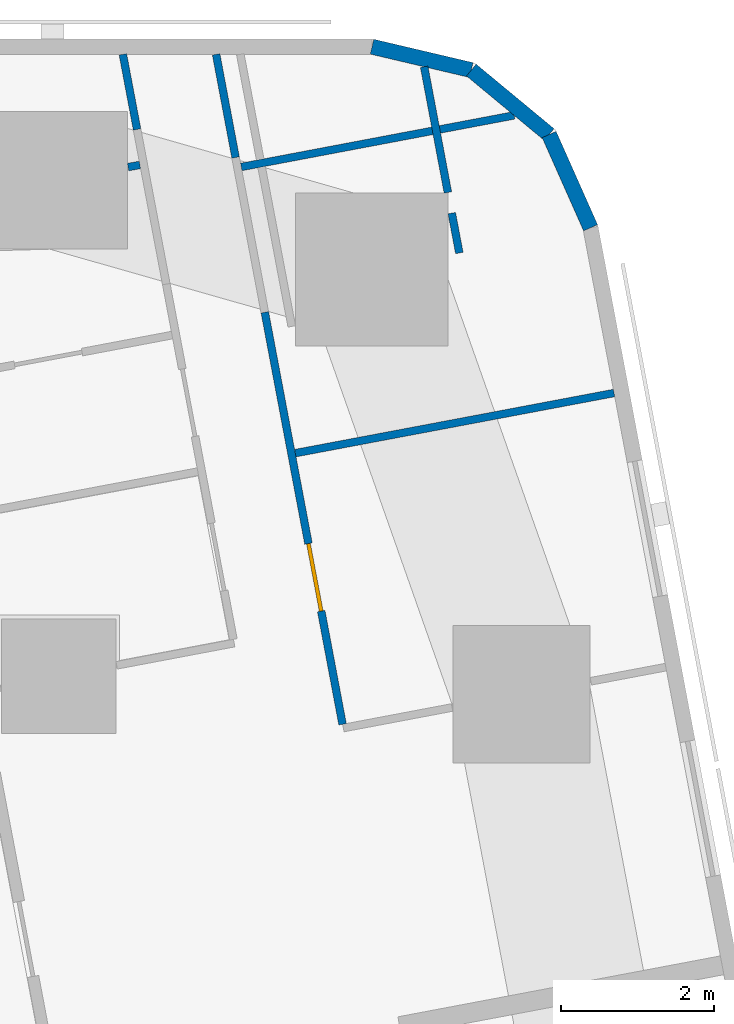
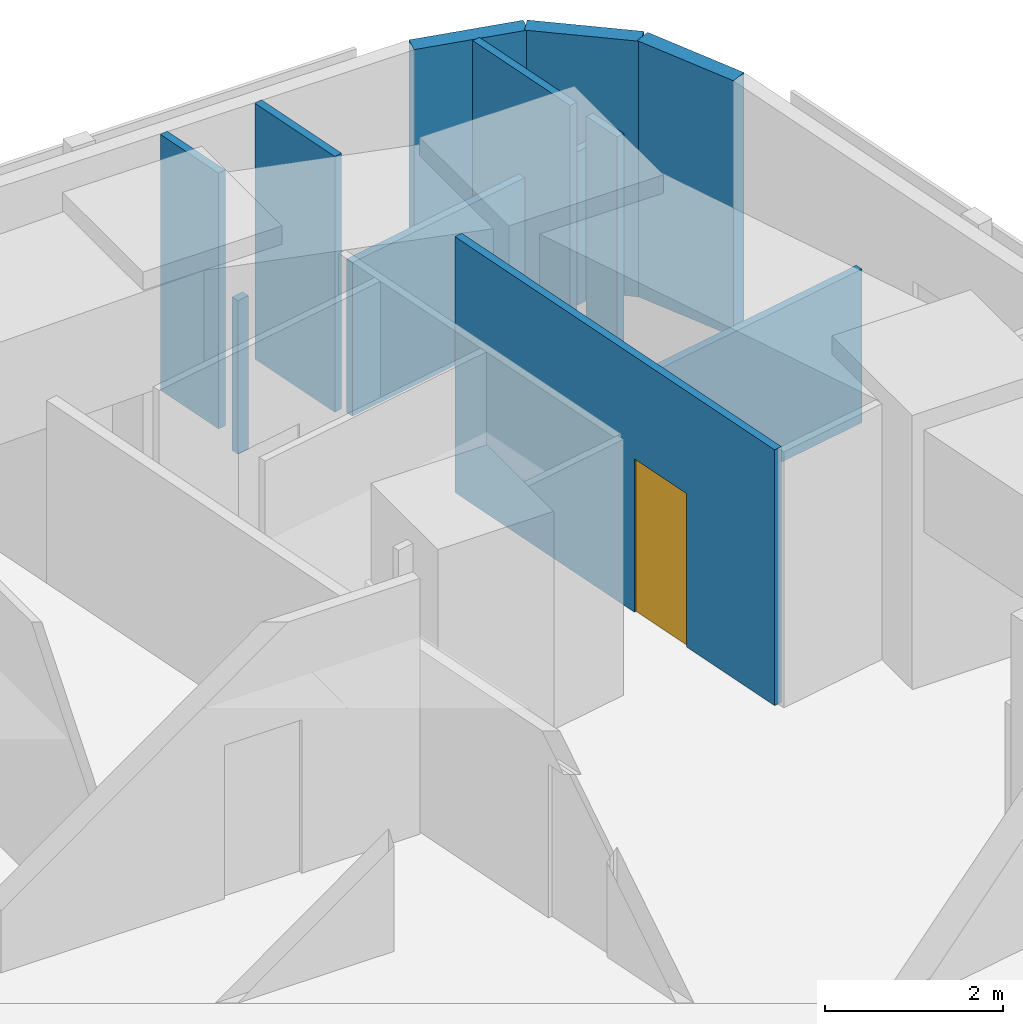
# One storey, part 11 of 15: 11 walls, 1 door, 1 opening.
"""IFC4 building model written with IfcOpenShell, lengths in metres."""

from ifc_helpers import new_model, si_unit, direction, frame, frame_2d, origin, place, context, subcontext, project, spatial, rectangle, extrude, material, layer, layer_set, type_object, element, fill, save


model = new_model("IFC4")

# Units and contexts
model_context = context("Model", 3, precision=1e-05, world=origin(), true_north=direction((0.0, 1.0)))
body_context = subcontext(model_context, "Body", "Model", "MODEL_VIEW")
ifc_project = project(units=[si_unit("LENGTHUNIT", "METRE"), si_unit("AREAUNIT", "SQUARE_METRE"), si_unit("VOLUMEUNIT", "CUBIC_METRE"), si_unit("PLANEANGLEUNIT", "RADIAN"), si_unit("MASSUNIT", "GRAM", prefix="KILO")], contexts=[model_context])

# Site, building, storey
site_placement = place(None, origin())
site = spatial("IfcSite", under=ifc_project, at=site_placement, CompositionType="ELEMENT")
building_placement = place(site_placement, origin())
building = spatial("IfcBuilding", under=site, at=building_placement, Name="Sheger Commons Tower", CompositionType="ELEMENT")
storey_placement = place(building_placement, frame((0.0, 0.0, 173.300048828125)))
storey = spatial("IfcBuildingStorey", under=building, at=storey_placement, Name="L44", CompositionType="ELEMENT", Elevation=173.300048828125)

# Walls
ifc_material_1 = material(Name="Rendered concrete block masonry, dark grey", Category="masonry")
ifc_layer_1 = layer(ifc_material_1, 0.199951171875)
ifc_layer_set_1 = layer_set([ifc_layer_1], Name="FACADE WALL 200")
wall_type_1 = type_object("IfcWallType", Name="FACADE WALL 200", PredefinedType="SOLIDWALL", material=ifc_layer_set_1)
wall_1_placement = place(storey_placement, frame((42.969970703125, 43.376953125, 0.0), z_axis=(0.0, 0.0, 1.0), x_axis=(-0.406002956633, 0.913871762998, 0.0)))
element("IfcWall", 1, at=wall_1_placement, inside=storey, type_object=wall_type_1, Name="Facade wall L44", PredefinedType="SOLIDWALL", context=body_context, shape_type="SweptSolid", body=[
    extrude(rectangle(XDim=1.33740234375, YDim=0.199951171875, at=frame_2d((0.668701171875, 0.0))), origin(), (0.0, 0.0, 1.0), 3.5),
])
wall_2_placement = place(storey_placement, frame((42.427001953125, 44.59912109375, 0.0), z_axis=(0.0, 0.0, 1.0), x_axis=(-0.770091412544, 0.637933551655, 0.0)))
element("IfcWall", 2, at=wall_2_placement, inside=storey, type_object=wall_type_1, Name="Facade wall L44", PredefinedType="SOLIDWALL", context=body_context, shape_type="SweptSolid", body=[
    extrude(rectangle(XDim=1.324462890625, YDim=0.199951171875, at=frame_2d((0.662109375, 0.0))), origin(), (0.0, 0.0, 1.0), 3.5),
])
wall_3_placement = place(storey_placement, frame((41.406982421875, 45.444091796875, 0.0), z_axis=(0.0, 0.0, 1.0), x_axis=(-0.973453091607, 0.228886606077, 0.0)))
element("IfcWall", 3, at=wall_3_placement, inside=storey, type_object=wall_type_1, Name="Facade wall L44", PredefinedType="SOLIDWALL", context=body_context, shape_type="SweptSolid", body=[
    extrude(rectangle(XDim=1.33642578125, YDim=0.199951171875, at=frame_2d((0.668212890625, 0.0))), origin(), (0.0, 0.0, 1.0), 3.5),
])
ifc_material_2 = material(Name="Gypsum board on steel studs", Category="steel")
ifc_layer_2 = layer(ifc_material_2, 0.10009765625)
ifc_layer_set_2 = layer_set([ifc_layer_2], Name="PARTITION 100")
wall_type_2 = type_object("IfcWallType", Name="PARTITION 100", PredefinedType="PARTITIONING", material=ifc_layer_set_2)
wall_4_placement = place(storey_placement, frame((40.7890625, 45.487060546875, 0.0), z_axis=(0.0, 0.0, 1.0), x_axis=(0.185572395193, -0.982630594955, 0.0)))
element("IfcWall", 4, at=wall_4_placement, inside=storey, type_object=wall_type_2, Name="Partition L44", PredefinedType="PARTITIONING", context=body_context, shape_type="SweptSolid", body=[
    extrude(rectangle(XDim=1.676025390625, YDim=0.10009765625, at=frame_2d((0.837890625, 0.0))), origin(), (0.0, 0.0, 1.0), 3.5),
])
wall_5_placement = place(storey_placement, frame((41.15087890625, 43.569091796875, 0.0), z_axis=(0.0, 0.0, 1.0), x_axis=(0.186563073924, -0.982442985342, 0.0)))
element("IfcWall", 5, at=wall_5_placement, inside=storey, type_object=wall_type_2, Name="Partition L44", PredefinedType="PARTITIONING", context=body_context, shape_type="SweptSolid", body=[
    extrude(rectangle(XDim=0.53125, YDim=0.10009765625, at=frame_2d((0.265625, 0.0))), origin(), (0.0, 0.0, 1.0), 3.5),
])
wall_6_placement = place(storey_placement, frame((38.06298828125, 45.64990234375, 0.0), z_axis=(0.0, 0.0, 1.0), x_axis=(0.185456359766, -0.982652501458, 0.0)))
element("IfcWall", 6, at=wall_6_placement, inside=storey, type_object=wall_type_2, Name="Partition L44", PredefinedType="PARTITIONING", context=body_context, shape_type="SweptSolid", body=[
    extrude(rectangle(XDim=1.375732421875, YDim=0.10009765625, at=frame_2d((0.68798828125, 0.0))), origin(), (0.0, 0.0, 1.0), 3.5),
])

# Wall, opening, door
wall_7_placement = place(storey_placement, frame((38.700927734375, 42.27001953125, 0.0), z_axis=(0.0, 0.0, 1.0), x_axis=(0.185474244877, -0.982649125826, 0.0)))
wall_7 = element("IfcWall", 7, at=wall_7_placement, inside=storey, type_object=wall_type_2, Name="Partition L44", PredefinedType="PARTITIONING", context=body_context, shape_type="SweptSolid", body=[
    extrude(rectangle(XDim=5.494140625, YDim=0.10009765625, at=frame_2d((2.7470703125, 0.0))), origin(), (0.0, 0.0, 1.0), 3.5),
])
opening_placement = place(wall_7_placement, frame((3.0849609375, 0.0, 0.0)))
opening = element("IfcOpeningElement", 8, at=opening_placement, cuts=wall_7, Name="Opening D2", PredefinedType="OPENING", context=body_context, shape_type="SweptSolid", body=[
    extrude(rectangle(XDim=0.89990234375, YDim=2.10009765625, at=frame_2d((0.449951171875, 1.050048828125))), frame((0.0, 0.06005859375, 0.0), z_axis=(0.0, -1.0, 0.0), x_axis=(1.0, 0.0, 0.0)), (0.0, 0.0, 1.0), 0.1201171875),
])
ifc_material_3 = material(Name="Timber door set", Category="wood")
door_type = type_object("IfcDoorType", Name="INTERNAL DOOR 900x2100", OperationType="NOTDEFINED", PredefinedType="DOOR", material=ifc_material_3)
door_placement = place(opening_placement, origin())
door = element("IfcDoor", 9, at=door_placement, inside=storey, type_object=door_type, Name="Main bedroom door", OperationType="SINGLE_SWING_LEFT", OverallHeight=2.10009765625, OverallWidth=0.89990234375, PredefinedType="DOOR", context=body_context, shape_type="SweptSolid", body=[
    extrude(rectangle(XDim=0.89990234375, YDim=2.10009765625, at=frame_2d((0.449951171875, 1.050048828125))), frame((0.0, 0.02490234375, 0.0), z_axis=(0.0, -1.0, 0.0), x_axis=(1.0, 0.0, 0.0)), (0.0, 0.0, 1.0), 0.050048828125),
])
fill(opening, door)

# Walls
wall_8_placement = place(storey_placement, frame((36.841064453125, 45.64990234375, 0.0), z_axis=(0.0, 0.0, 1.0), x_axis=(0.185789875365, -0.982589498322, 0.0)))
element("IfcWall", 10, at=wall_8_placement, inside=storey, type_object=wall_type_2, Name="Partition L44", PredefinedType="PARTITIONING", context=body_context, shape_type="SweptSolid", body=[
    extrude(rectangle(XDim=1.001220703125, YDim=0.10009765625, at=frame_2d((0.50048828125, 0.0))), origin(), (0.0, 0.0, 1.0), 3.5),
])
wall_9_placement = place(storey_placement, frame((41.968017578125, 44.85009765625, 0.0), z_axis=(0.0, 0.0, 1.0), x_axis=(-0.98258614234, -0.185807623311, 0.0)))
element("IfcWall", 11, at=wall_9_placement, inside=storey, type_object=wall_type_2, Name="Partition L44", PredefinedType="PARTITIONING", context=body_context, shape_type="SweptSolid", body=[
    extrude(rectangle(XDim=3.638427734375, YDim=0.10009765625, at=frame_2d((1.8193359375, 0.0))), origin(), (0.0, 0.0, 1.0), 2.099853515625),
])
wall_10_placement = place(storey_placement, frame((43.277099609375, 41.2119140625, 0.0), z_axis=(0.0, 0.0, 1.0), x_axis=(-0.982665405803, -0.185387972203, 0.0)))
element("IfcWall", 12, at=wall_10_placement, inside=storey, type_object=wall_type_2, Name="Partition L44", PredefinedType="PARTITIONING", context=body_context, shape_type="SweptSolid", body=[
    extrude(rectangle(XDim=4.249755859375, YDim=0.10009765625, at=frame_2d((2.125, 0.0))), origin(), (0.0, 0.0, 1.0), 2.099853515625),
])
wall_11_placement = place(storey_placement, frame((37.06396484375, 44.200927734375, 0.0), z_axis=(0.0, 0.0, 1.0), x_axis=(-0.982960250751, -0.183818240236, 0.0)))
element("IfcWall", 13, at=wall_11_placement, inside=storey, type_object=wall_type_2, Name="Partition L44", PredefinedType="PARTITIONING", context=body_context, shape_type="SweptSolid", body=[
    extrude(rectangle(XDim=0.15673828125, YDim=0.10009765625, at=frame_2d((0.078369140625, 0.0))), origin(), (0.0, 0.0, 1.0), 2.099853515625),
])

save(model, "model.ifc")
